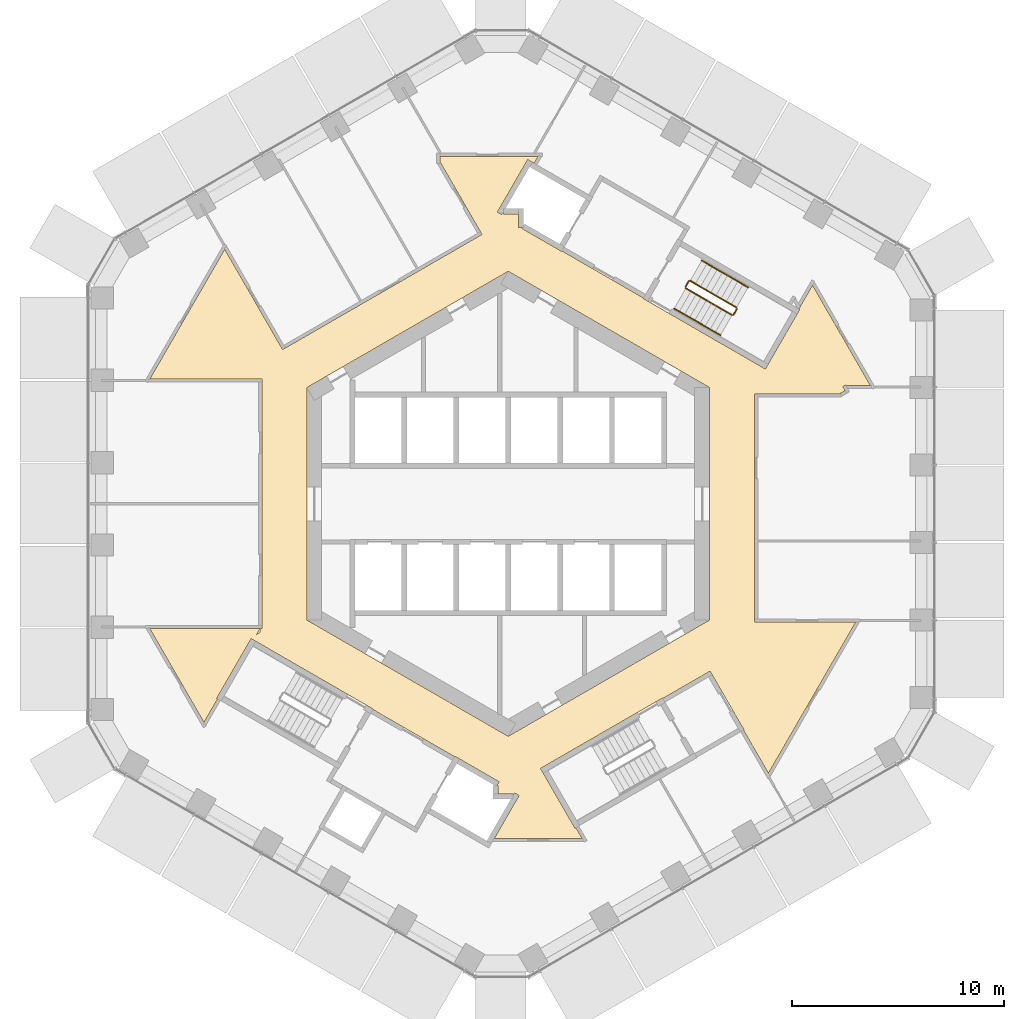
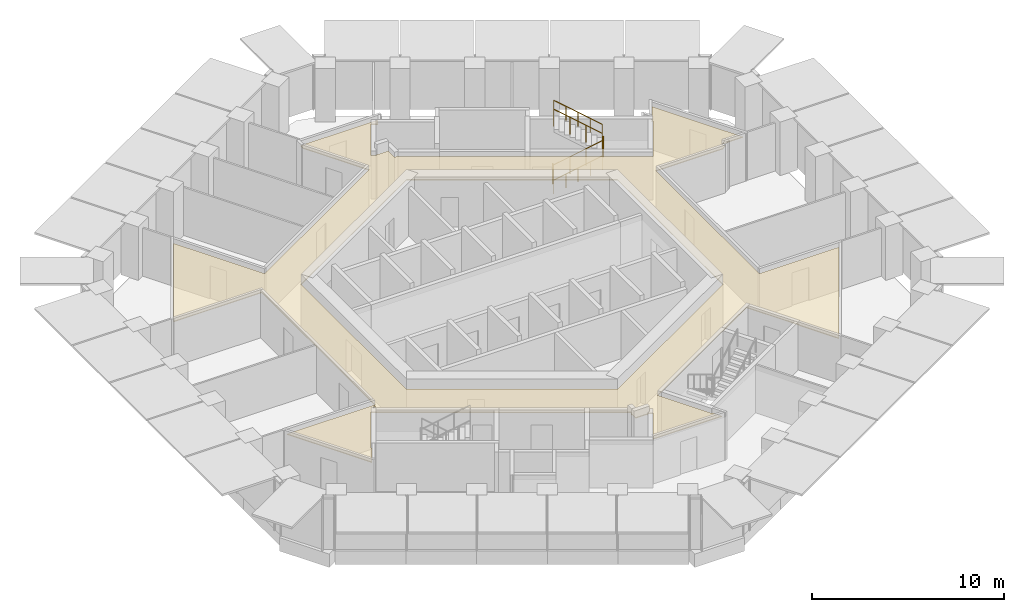
# One storey, part 19 of 19: 8 railings, 1 covering.
"""IFC4 building model written with IfcOpenShell, lengths in metres."""

from ifc_helpers import new_model, si_unit, direction, frame, origin, origin_2d, place, context, subcontext, project, spatial, polyline, circle, outline, extrude, material, layer, layer_set, type_object, element, save


model = new_model("IFC4")

# Units and contexts
model_context = context("Model", 3, precision=1e-05, world=origin(), true_north=direction((0.0, 1.0)))
body_context = subcontext(model_context, "Body", "Model", "MODEL_VIEW")
ifc_project = project(units=[si_unit("LENGTHUNIT", "METRE"), si_unit("AREAUNIT", "SQUARE_METRE"), si_unit("VOLUMEUNIT", "CUBIC_METRE"), si_unit("PLANEANGLEUNIT", "RADIAN"), si_unit("MASSUNIT", "GRAM", prefix="KILO")], contexts=[model_context])

# Site, building, storey
site_placement = place(None, origin())
site = spatial("IfcSite", under=ifc_project, at=site_placement, CompositionType="ELEMENT")
building_placement = place(site_placement, origin())
building = spatial("IfcBuilding", under=site, at=building_placement, Name="Ayvan Gate Tower", CompositionType="ELEMENT")
storey_placement = place(building_placement, frame((0.0, 0.0, 100.10009765625)))
storey = spatial("IfcBuildingStorey", under=building, at=storey_placement, Name="L26", CompositionType="ELEMENT", Elevation=100.10009765625)

# Covering
ifc_material_1 = material(Name="Plasterboard suspended ceiling")
ifc_layer = layer(ifc_material_1, 0.050048828125)
ifc_layer_set = layer_set([ifc_layer], Name="Plasterboard suspended ceiling")
covering_type = type_object("IfcCoveringType", Name="CT-SUSP-50", PredefinedType="CEILING", material=ifc_layer_set)
covering_placement = place(storey_placement, frame((0.0, 0.0, 2.699951171875)))
element("IfcCovering", 1, at=covering_placement, inside=storey, type_object=covering_type, Name="Ceiling Ring Corridor L26", PredefinedType="CEILING", context=body_context, shape_type="SweptSolid", body=[
    extrude(outline(polyline([(-11.914794921875, -6.48681640625), (-12.131103515625, -6.36181640625), (-13.756103515625, -9.17626953125), (-13.712890625, -9.201416015625), (-14.355712890625, -10.314697265625), (-16.910888671875, -5.888671875), (-11.713623046875, -5.888671875), (-11.870849609375, -6.160888671875), (-11.699951171875, -6.062255859375), (-11.699951171875, -5.888671875), (-11.625, -5.888671875), (-11.625, 5.888671875), (-16.910888671875, 5.888671875), (-13.377197265625, 12.00927734375), (-10.64501953125, 7.277587890625), (-10.532470703125, 7.342529296875), (-1.23974609375, 12.70751953125), (-1.314697265625, 12.837646484375), (-3.197509765625, 16.0986328125), (-3.22509765625, 16.0830078125), (-3.22509765625, 16.390625), (1.4091796875, 16.390625), (1.221923828125, 16.066650390625), (1.135498046875, 16.116455078125), (0.918701171875, 16.241455078125), (-0.511474609375, 13.76416015625), (-0.294921875, 13.63916015625), (-0.215576171875, 13.776611328125), (-0.215576171875, 13.68505859375), (0.47509765625, 13.68505859375), (0.47509765625, 13.03857421875), (0.672119140625, 13.03857421875), (0.645751953125, 12.992919921875), (2.518310546875, 11.91162109375), (2.53076171875, 11.933349609375), (6.384521484375, 9.70849609375), (6.3720703125, 9.686767578125), (6.588623046875, 9.561767578125), (12.131103515625, 6.36181640625), (12.24609375, 6.56103515625), (13.631103515625, 8.959716796875), (13.756103515625, 9.176513671875), (13.681396484375, 9.219482421875), (13.7919921875, 9.283447265625), (13.744384765625, 9.365966796875), (13.7919921875, 9.33837890625), (14.355712890625, 10.314453125), (17.089111328125, 5.580078125), (15.9619140625, 5.580078125), (15.9619140625, 5.525390625), (15.914306640625, 5.607666015625), (15.784423828125, 5.53271484375), (15.896484375, 5.33837890625), (15.669921875, 5.207763671875), (15.685791015625, 5.18017578125), (11.625, 5.18017578125), (11.625, -5.580078125), (16.396240234375, -5.580078125), (12.277099609375, -12.714599609375), (11.102294921875, -10.6796875), (11.123779296875, -10.667236328125), (9.623779296875, -8.069091796875), (9.52392578125, -7.89599609375), (7.2939453125, -9.183349609375), (7.281494140625, -9.16162109375), (1.522216796875, -12.48681640625), (1.647216796875, -12.703369140625), (3.147216796875, -15.30126953125), (3.190673828125, -15.2763671875), (3.487060546875, -15.78955078125), (-0.657958984375, -15.78955078125), (0.511474609375, -13.76416015625), (0.294921875, -13.63916015625), (0.215576171875, -13.776611328125), (0.215576171875, -13.68505859375), (-0.47509765625, -13.68505859375), (-0.47509765625, -13.28857421875), (-0.52783203125, -13.28857421875), (-0.42919921875, -13.117919921875), (-2.284423828125, -12.046630859375), (-2.518310546875, -11.91162109375), (-2.53076171875, -11.933349609375), (-6.384521484375, -9.70849609375), (-6.3720703125, -9.686767578125), (-11.91455078125, -6.48681640625), (-11.914794921875, -6.48681640625)]), holes=[polyline([(9.5, 5.48486328125), (8.771728515625, 5.9052734375), (0.0, 10.9697265625), (-8.771728515625, 5.9052734375), (-9.5, 5.48486328125), (-9.5, -5.48486328125), (-8.771728515625, -5.9052734375), (0.0, -10.9697265625), (8.38720703125, -6.127197265625), (8.771728515625, -5.9052734375), (9.5, -5.48486328125), (9.5, 5.48486328125)])]), origin(), (0.0, 0.0, 1.0), 0.050048828125),
])

# Railings
ifc_material_2 = material(Name="Stainless steel balustrade", Category="steel")
railing_type_1 = type_object("IfcRailingType", Name="RL-GUARD-1100", PredefinedType="GUARDRAIL", material=ifc_material_2)
railing_1_placement = place(storey_placement, frame((8.381103515625, 10.16650390625, 0.169921875)))
element("IfcRailing", 2, at=railing_1_placement, inside=storey, type_object=railing_type_1, Name="L26 STS1 stair guard 1", PredefinedType="GUARDRAIL", context=body_context, shape_type="SweptSolid", body=[
    extrude(circle(Radius=0.02392578125, at=origin_2d()), frame((0.0, 0.0, 1.076171875), z_axis=(0.740261155115, -0.427395438142, 0.518986090067), x_axis=(0.500004791531, 0.866022637375, 0.0)), (0.0, 0.0, 1.0), 2.947998046875),
    extrude(circle(Radius=0.02099609375, at=origin_2d()), origin(), (0.0, 0.0, 1.0), 1.052001953125),
    extrude(circle(Radius=0.02099609375, at=origin_2d()), frame((0.7275390625, -0.419921875, 0.510009765625)), (0.0, 0.0, 1.0), 1.052001953125),
    extrude(circle(Radius=0.02099609375, at=origin_2d()), frame((1.454833984375, -0.840087890625, 1.02001953125)), (0.0, 0.0, 1.0), 1.052001953125),
    extrude(circle(Radius=0.02099609375, at=origin_2d()), frame((2.182373046875, -1.260009765625, 1.530029296875)), (0.0, 0.0, 1.0), 1.052001953125),
])
railing_2_placement = place(storey_placement, frame((10.6318359375, 8.9248046875, 1.699951171875)))
element("IfcRailing", 3, at=railing_2_placement, inside=storey, type_object=railing_type_1, Name="L26 STS1 stair guard 2", PredefinedType="GUARDRAIL", context=body_context, shape_type="SweptSolid", body=[
    extrude(circle(Radius=0.02392578125, at=origin_2d()), frame((0.0, 0.0, 1.076171875), z_axis=(0.499949632511, 0.866054481515, 0.0), x_axis=(-0.866054481515, 0.499949632511, 0.0)), (0.0, 0.0, 1.0), 0.31005859375),
    extrude(circle(Radius=0.02099609375, at=origin_2d()), origin(), (0.0, 0.0, 1.0), 1.052001953125),
    extrude(circle(Radius=0.02099609375, at=origin_2d()), frame((0.155029296875, 0.2685546875, 0.0)), (0.0, 0.0, 1.0), 1.052001953125),
])
railing_3_placement = place(storey_placement, frame((10.7685546875, 9.261474609375, 1.869873046875)))
element("IfcRailing", 4, at=railing_3_placement, inside=storey, type_object=railing_type_1, Name="L26 STS1 stair guard 3", PredefinedType="GUARDRAIL", context=body_context, shape_type="SweptSolid", body=[
    extrude(circle(Radius=0.02392578125, at=origin_2d()), frame((0.0, 0.0, 1.076171875), z_axis=(-0.740261155115, 0.427395438142, 0.518986090067), x_axis=(-0.500004791531, -0.866022637375, 0.0)), (0.0, 0.0, 1.0), 2.947998046875),
    extrude(circle(Radius=0.02099609375, at=origin_2d()), origin(), (0.0, 0.0, 1.0), 1.052001953125),
    extrude(circle(Radius=0.02099609375, at=origin_2d()), frame((-0.7275390625, 0.419921875, 0.510009765625)), (0.0, 0.0, 1.0), 1.052001953125),
    extrude(circle(Radius=0.02099609375, at=origin_2d()), frame((-1.454833984375, 0.840087890625, 1.02001953125)), (0.0, 0.0, 1.0), 1.052001953125),
    extrude(circle(Radius=0.02099609375, at=origin_2d()), frame((-2.182373046875, 1.260009765625, 1.530029296875)), (0.0, 0.0, 1.0), 1.052001953125),
])
railing_4_placement = place(storey_placement, frame((8.36279296875, 10.23486328125, 0.0)))
element("IfcRailing", 5, at=railing_4_placement, inside=storey, type_object=railing_type_1, Name="L26 STS1 stair guard 4", PredefinedType="GUARDRAIL", context=body_context, shape_type="SweptSolid", body=[
    extrude(circle(Radius=0.02392578125, at=origin_2d()), frame((0.0, 0.0, 1.076171875), z_axis=(0.500290723946, 0.86585748916, 0.0), x_axis=(-0.86585748916, 0.500290723946, 0.0)), (0.0, 0.0, 1.0), 0.309814453125),
    extrude(circle(Radius=0.02099609375, at=origin_2d()), origin(), (0.0, 0.0, 1.0), 1.052001953125),
    extrude(circle(Radius=0.02099609375, at=origin_2d()), frame((0.155029296875, 0.268310546875, 0.0)), (0.0, 0.0, 1.0), 1.052001953125),
])
railing_type_2 = type_object("IfcRailingType", Name="RL-HANDRAIL-900", PredefinedType="HANDRAIL", material=ifc_material_2)
railing_5_placement = place(storey_placement, frame((7.8310546875, 9.2138671875, 0.169921875)))
element("IfcRailing", 6, at=railing_5_placement, inside=storey, type_object=railing_type_2, Name="L26 STS1 stair handrail 1", PredefinedType="HANDRAIL", context=body_context, shape_type="SweptSolid", body=[
    extrude(circle(Radius=0.02392578125, at=origin_2d()), frame((0.0, 0.0, 0.8759765625), z_axis=(0.740356597536, -0.427319915356, 0.518912129772), x_axis=(0.499890179513, 0.866088799389, 0.0)), (0.0, 0.0, 1.0), 1.47412109375),
    extrude(circle(Radius=0.02099609375, at=origin_2d()), origin(), (0.0, 0.0, 1.0), 0.851806640625),
    extrude(circle(Radius=0.02099609375, at=origin_2d()), frame((0.545654296875, -0.31494140625, 0.38232421875)), (0.0, 0.0, 1.0), 0.851806640625),
    extrude(circle(Radius=0.02099609375, at=origin_2d()), frame((1.09130859375, -0.6298828125, 0.764892578125)), (0.0, 0.0, 1.0), 0.851806640625),
])
railing_6_placement = place(storey_placement, frame((8.92236328125, 8.583984375, 0.934814453125)))
element("IfcRailing", 7, at=railing_6_placement, inside=storey, type_object=railing_type_2, Name="L26 STS1 stair handrail 2", PredefinedType="HANDRAIL", context=body_context, shape_type="SweptSolid", body=[
    extrude(circle(Radius=0.02392578125, at=origin_2d()), frame((0.0, 0.0, 0.8759765625), z_axis=(0.740165700939, -0.427470949681, 0.519060037311), x_axis=(0.50011940292, 0.865956455501, 0.0)), (0.0, 0.0, 1.0), 1.47412109375),
    extrude(circle(Radius=0.02099609375, at=origin_2d()), origin(), (0.0, 0.0, 1.0), 0.851806640625),
    extrude(circle(Radius=0.02099609375, at=origin_2d()), frame((0.54541015625, -0.31494140625, 0.382568359375)), (0.0, 0.0, 1.0), 0.851806640625),
    extrude(circle(Radius=0.02099609375, at=origin_2d()), frame((1.091064453125, -0.630126953125, 0.76513671875)), (0.0, 0.0, 1.0), 0.851806640625),
])
railing_7_placement = place(storey_placement, frame((11.318603515625, 10.214111328125, 1.869873046875)))
element("IfcRailing", 8, at=railing_7_placement, inside=storey, type_object=railing_type_2, Name="L26 STS1 stair handrail 3", PredefinedType="HANDRAIL", context=body_context, shape_type="SweptSolid", body=[
    extrude(circle(Radius=0.02392578125, at=origin_2d()), frame((0.0, 0.0, 0.8759765625), z_axis=(-0.740240574041, 0.427418550694, 0.518996411419), x_axis=(-0.500035496587, -0.86600490885, 0.0)), (0.0, 0.0, 1.0), 1.474365234375),
    extrude(circle(Radius=0.02099609375, at=origin_2d()), origin(), (0.0, 0.0, 1.0), 0.851806640625),
    extrude(circle(Radius=0.02099609375, at=origin_2d()), frame((-0.545654296875, 0.31494140625, 0.382568359375)), (0.0, 0.0, 1.0), 0.851806640625),
    extrude(circle(Radius=0.02099609375, at=origin_2d()), frame((-1.09130859375, 0.630126953125, 0.76513671875)), (0.0, 0.0, 1.0), 0.851806640625),
])
railing_8_placement = place(storey_placement, frame((10.227294921875, 10.84423828125, 2.635009765625)))
element("IfcRailing", 9, at=railing_8_placement, inside=storey, type_object=railing_type_2, Name="L26 STS1 stair handrail 4", PredefinedType="HANDRAIL", context=body_context, shape_type="SweptSolid", body=[
    extrude(circle(Radius=0.02392578125, at=origin_2d()), frame((0.0, 0.0, 0.8759765625), z_axis=(-0.740356597536, 0.427319915356, 0.518912129772), x_axis=(-0.499890179513, -0.866088799389, 0.0)), (0.0, 0.0, 1.0), 1.47412109375),
    extrude(circle(Radius=0.02099609375, at=origin_2d()), origin(), (0.0, 0.0, 1.0), 0.851806640625),
    extrude(circle(Radius=0.02099609375, at=origin_2d()), frame((-0.545654296875, 0.31494140625, 0.38232421875)), (0.0, 0.0, 1.0), 0.851806640625),
    extrude(circle(Radius=0.02099609375, at=origin_2d()), frame((-1.09130859375, 0.6298828125, 0.764892578125)), (0.0, 0.0, 1.0), 0.851806640625),
])

save(model, "model.ifc")
